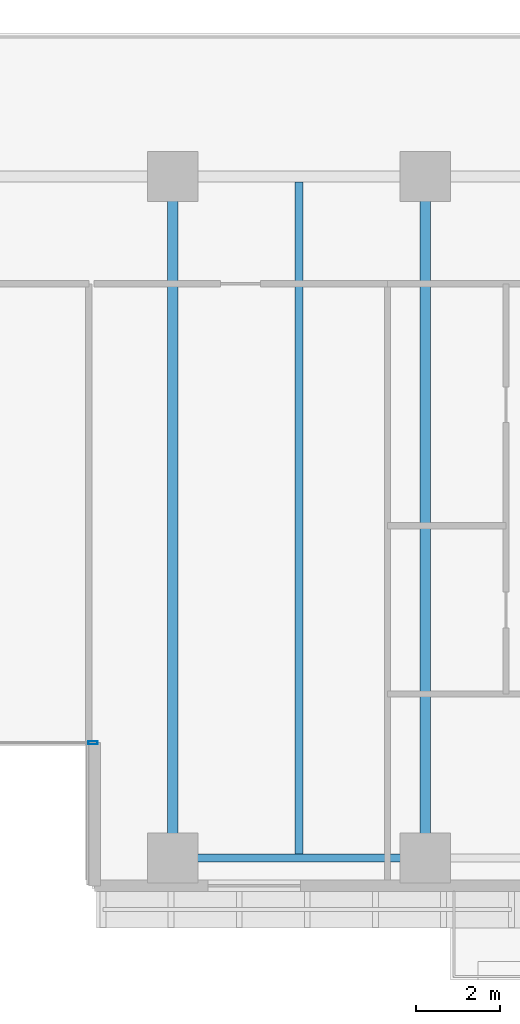
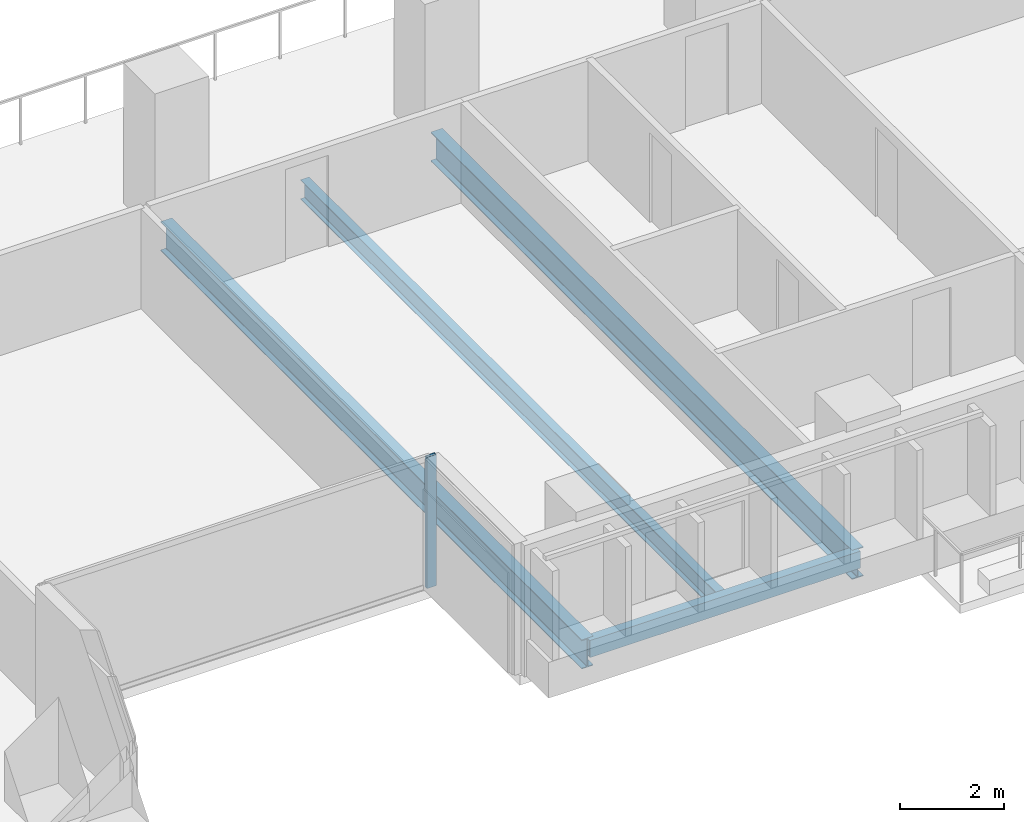
# One storey, part 6 of 33: 4 beams, 1 member, 1 element without a shape of its own.
"""IFC4 building model written with IfcOpenShell, lengths in metres."""

from ifc_helpers import new_model, si_unit, direction, frame, origin, origin_2d, place, context, subcontext, project, spatial, hollow_rectangle, i_section, extrude, material, layer, layer_set, material_profile, profile_set, type_object, element, aggregate, save


model = new_model("IFC4")

# Units and contexts
model_context = context("Model", 3, precision=1e-05, world=origin(), true_north=direction((0.0, 1.0)))
body_context = subcontext(model_context, "Body", "Model", "MODEL_VIEW")
ifc_project = project(units=[si_unit("LENGTHUNIT", "METRE"), si_unit("AREAUNIT", "SQUARE_METRE"), si_unit("VOLUMEUNIT", "CUBIC_METRE"), si_unit("PLANEANGLEUNIT", "RADIAN"), si_unit("MASSUNIT", "GRAM", prefix="KILO")], contexts=[model_context])

# Site, building, storey
site_placement = place(None, origin())
site = spatial("IfcSite", under=ifc_project, at=site_placement, CompositionType="ELEMENT")
building_placement = place(site_placement, origin())
building = spatial("IfcBuilding", under=site, at=building_placement, Name="Tanjung Sevakor Pilgrim Tower", CompositionType="ELEMENT")
storey_placement = place(building_placement, frame((0.0, 0.0, 52.139892578125)))
storey = spatial("IfcBuildingStorey", under=building, at=storey_placement, Name="L14", CompositionType="ELEMENT", Elevation=52.139892578125)

# Beams
ifc_material_1 = material(Name="Steel S355J2", Category="steel")
ifc_material_profile_1 = material_profile(ifc_material_1, i_section(OverallWidth=0.25439453125, OverallDepth=0.6875, WebThickness=0.01318359375, FlangeThickness=0.02099609375, FilletRadius=0.01513671875, at=origin_2d()))
ifc_profile_set_1 = profile_set([ifc_material_profile_1], Name="Steel S355J2")
beam_type_1 = type_object("IfcBeamType", Name="BM-B-G2-UB_686x254x152", PredefinedType="BEAM", material=ifc_profile_set_1)
for number, where, z_axis, x_axis, name in (
    (1, (54.0, 8.39990234375, -0.5634765625), (0.0, 1.0, 0.0), (-1.0, 0.0, 0.0), "L14 MAIN Girder 013"),
    (2, (60.0, 8.39990234375, -0.5634765625), (0.0, 1.0, 0.0), (-1.0, 0.0, 0.0), "L14 MAIN Girder 017"),
):
    element("IfcBeam", number, at=place(storey_placement, frame(where, z_axis=z_axis, x_axis=x_axis)), inside=storey, type_object=beam_type_1, Name=name, PredefinedType="BEAM", context=body_context, shape_type="SweptSolid", body=[
        extrude(i_section(OverallWidth=0.25439453125, OverallDepth=0.6875, WebThickness=0.01318359375, FlangeThickness=0.02099609375, FilletRadius=0.01513671875, at=origin_2d()), origin(), (0.0, 0.0, 1.0), 16.2001953125),
    ])
ifc_material_2 = material(Name="Steel S355J2", Category="steel")
ifc_material_profile_2 = material_profile(ifc_material_2, i_section(OverallWidth=0.19140625, OverallDepth=0.4599609375, WebThickness=0.010009765625, FlangeThickness=0.01611328125, FilletRadius=0.01025390625, at=origin_2d()))
ifc_profile_set_2 = profile_set([ifc_material_profile_2], Name="Steel S355J2")
beam_type_2 = type_object("IfcBeamType", Name="BM-B-J2-UB_457x191x82", PredefinedType="JOIST", material=ifc_profile_set_2)
beam_1_placement = place(storey_placement, frame((57.0, 8.5, -0.449951171875), z_axis=(0.0, 1.0, 0.0), x_axis=(-1.0, 0.0, 0.0)))
element("IfcBeam", 3, at=beam_1_placement, inside=storey, type_object=beam_type_2, Name="L14 MAIN Joist 015", PredefinedType="JOIST", context=body_context, shape_type="SweptSolid", body=[
    extrude(i_section(OverallWidth=0.19140625, OverallDepth=0.4599609375, WebThickness=0.010009765625, FlangeThickness=0.01611328125, FilletRadius=0.01025390625, at=origin_2d()), origin(), (0.0, 0.0, 1.0), 15.966064453125),
])
ifc_material_3 = material(Name="Steel S355J2", Category="steel")
ifc_material_profile_3 = material_profile(ifc_material_3, hollow_rectangle(XDim=0.199951171875, YDim=0.39990234375, WallThickness=0.01611328125, at=origin_2d()))
ifc_profile_set_3 = profile_set([ifc_material_profile_3], Name="Steel S355J2")
beam_type_3 = type_object("IfcBeamType", Name="BM-B-SP2-RHS_400x200x16", PredefinedType="SPANDREL", material=ifc_profile_set_3)
beam_2_placement = place(storey_placement, frame((54.0, 8.39990234375, -0.419921875), z_axis=(1.0, 0.0, 0.0), x_axis=(0.0, 1.0, 0.0)))
element("IfcBeam", 4, at=beam_2_placement, inside=storey, type_object=beam_type_3, Name="L14 Spandrel MAIN S-07", PredefinedType="SPANDREL", context=body_context, shape_type="SweptSolid", body=[
    extrude(hollow_rectangle(XDim=0.199951171875, YDim=0.39990234375, WallThickness=0.01611328125, at=origin_2d()), origin(), (0.0, 0.0, 1.0), 6.0),
])

# Curtain wall, member
ifc_material_4 = material(Name="Aluminium 6063-T6 and Low-E Glass", Category="aluminium")
ifc_layer = layer(ifc_material_4, 0.179931640625)
ifc_layer_set = layer_set([ifc_layer], Name="CW-SYS-CLEFT")
curtain_wall_type = type_object("IfcCurtainWallType", Name="CW-SYS-CLEFT", PredefinedType="NOTDEFINED", material=ifc_layer_set)
curtain_wall_placement = place(storey_placement, origin())
curtain_wall = element("IfcCurtainWall", 5, at=curtain_wall_placement, inside=storey, type_object=curtain_wall_type, Name="L14 Curtain Wall CW-CLF-L14-2", PredefinedType="NOTDEFINED")
ifc_material_5 = material(Name="Aluminium 6063-T6", Category="aluminium")
ifc_material_profile_4 = material_profile(ifc_material_5, hollow_rectangle(XDim=0.074951171875, YDim=0.219970703125, WallThickness=0.0048828125, at=origin_2d()))
ifc_profile_set_4 = profile_set([ifc_material_profile_4], Name="Aluminium 6063-T6")
member_type = type_object("IfcMemberType", Name="TYPE-CWM-2", PredefinedType="MULLION", material=ifc_profile_set_4)
member_placement = place(storey_placement, frame((52.1025390625, 11.139892578125, 0.0), z_axis=(0.0, 0.0, 1.0), x_axis=(0.0, 1.0, 0.0)))
member = element("IfcMember", 6, at=member_placement, type_object=member_type, Name="CW-CLF mullion 2", PredefinedType="MULLION", context=body_context, shape_type="SweptSolid", body=[
    extrude(hollow_rectangle(XDim=0.074951171875, YDim=0.219970703125, WallThickness=0.0048828125, at=origin_2d()), origin(), (0.0, 0.0, 1.0), 3.080078125),
])
aggregate(curtain_wall, [member])

save(model, "model.ifc")
